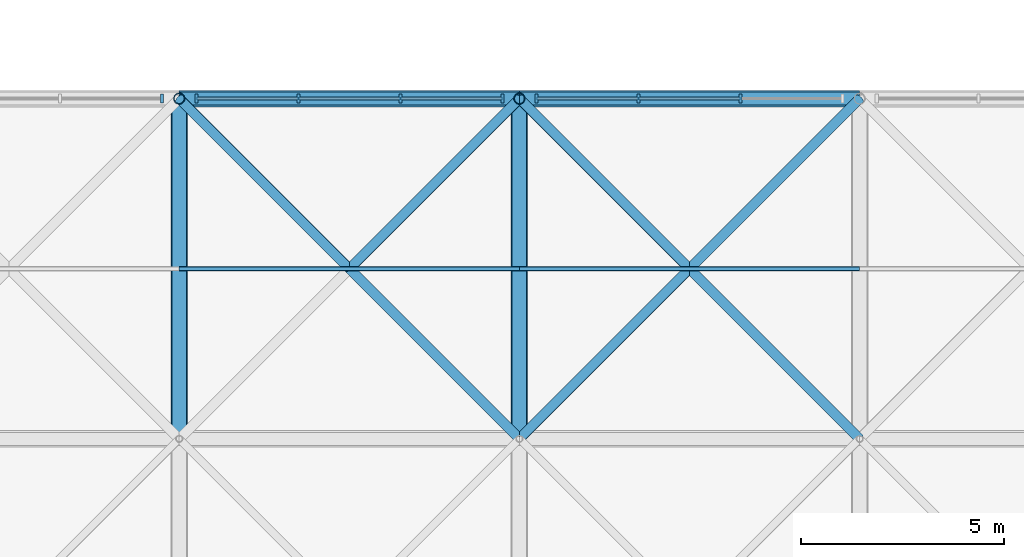
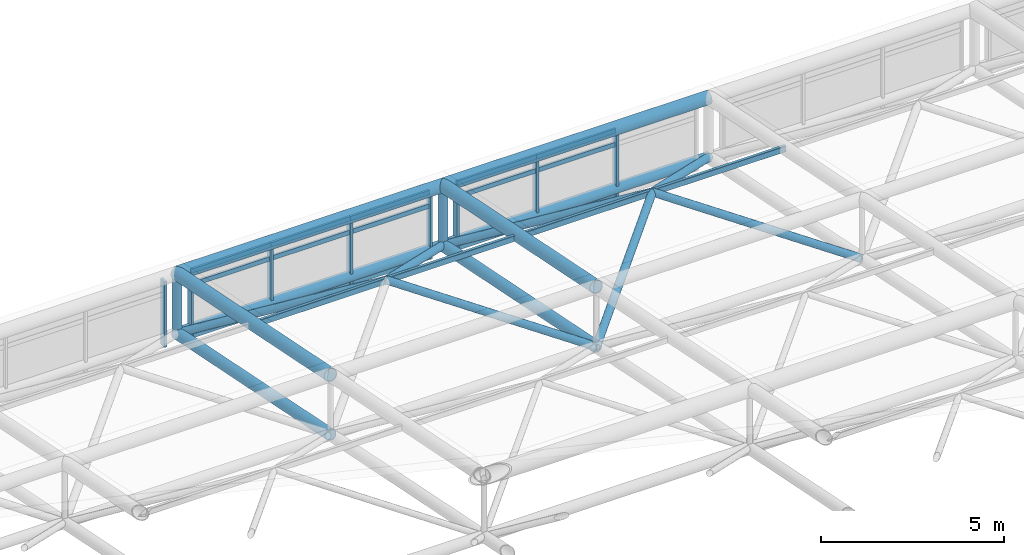
# One storey, part 57 of 110: 42 members, 3 elements without a shape of their own.
"""IFC4 building model written with IfcOpenShell, lengths in metres."""

from ifc_helpers import new_model, si_unit, direction, frame, origin, origin_2d, place, context, subcontext, project, spatial, rectangle, hollow_rectangle, hollow_circle, extrude, material, layer, layer_set, material_profile, profile_set, type_object, element, aggregate, save


model = new_model("IFC4")

# Units and contexts
model_context = context("Model", 3, precision=1e-05, world=origin(), true_north=direction((0.0, 1.0)))
body_context = subcontext(model_context, "Body", "Model", "MODEL_VIEW")
ifc_project = project(units=[si_unit("LENGTHUNIT", "METRE"), si_unit("AREAUNIT", "SQUARE_METRE"), si_unit("VOLUMEUNIT", "CUBIC_METRE"), si_unit("PLANEANGLEUNIT", "RADIAN"), si_unit("MASSUNIT", "GRAM", prefix="KILO")], contexts=[model_context])

# Site, building, storey
site_placement = place(None, origin())
site = spatial("IfcSite", under=ifc_project, at=site_placement, CompositionType="ELEMENT")
building_placement = place(site_placement, origin())
building = spatial("IfcBuilding", under=site, at=building_placement, Name="Qawsi Khor Wholesale Market", CompositionType="ELEMENT")
storey_placement = place(building_placement, frame((0.0, 0.0, 11.39990234375)))
storey = spatial("IfcBuildingStorey", under=building, at=storey_placement, Name="L02", CompositionType="ELEMENT", Elevation=11.39990234375)

# Curtain wall, member
ifc_material_1 = material(Name="Aluminium Anodised Bronze", Category="aluminium")
ifc_layer = layer(ifc_material_1, 0.199951171875, Name="Aluminium Anodised Bronze")
ifc_layer_set = layer_set([ifc_layer], Name="Aluminium Anodised Bronze")
curtain_wall_type = type_object("IfcCurtainWallType", Name="Trading Hall North-Light Curtain Wall CW-03", PredefinedType="NOTDEFINED", material=ifc_layer_set)
curtain_wall_1_placement = place(storey_placement, origin())
curtain_wall_1 = element("IfcCurtainWall", 1, at=curtain_wall_1_placement, inside=storey, type_object=curtain_wall_type, Name="Curtain wall CW-CW-03-L02-148", PredefinedType="NOTDEFINED")
ifc_material_profile_1 = material_profile(ifc_material_1, rectangle(XDim=0.074951171875, YDim=0.219970703125, at=origin_2d()), Name="ALU MULLION 75x220")
ifc_profile_set_1 = profile_set([ifc_material_profile_1], Name="Aluminium Anodised Bronze")
member_type_1 = type_object("IfcMemberType", Name="Curtain Wall Mullion CW-03 ALU MULLION 75x220", PredefinedType="MULLION", material=ifc_profile_set_1)
member_1_placement = place(storey_placement, frame((175.9775390625, 109.199951171875, -0.289794921875), z_axis=(0.0, 0.0, 1.0), x_axis=(1.0, 0.0, 0.0)))
member_1 = element("IfcMember", 2, at=member_1_placement, type_object=member_type_1, Name="Mullion CW-CW-03-L02-148-M03", PredefinedType="MULLION", context=body_context, shape_type="SweptSolid", body=[
    extrude(rectangle(XDim=0.074951171875, YDim=0.219970703125, at=origin_2d()), origin(), (0.0, 0.0, 1.0), 2.18994140625),
])
aggregate(curtain_wall_1, [member_1])

# Curtain wall, members
curtain_wall_2_placement = place(storey_placement, origin())
curtain_wall_2 = element("IfcCurtainWall", 3, at=curtain_wall_2_placement, inside=storey, type_object=curtain_wall_type, Name="Curtain wall CW-CW-03-L02-149", PredefinedType="NOTDEFINED")
member_2_placement = place(storey_placement, frame((176.822509765625, 109.199951171875, -0.289794921875), z_axis=(0.0, 0.0, 1.0), x_axis=(1.0, 0.0, 0.0)))
member_2 = element("IfcMember", 4, at=member_2_placement, type_object=member_type_1, Name="Mullion CW-CW-03-L02-149-M00", PredefinedType="MULLION", context=body_context, shape_type="SweptSolid", body=[
    extrude(rectangle(XDim=0.074951171875, YDim=0.219970703125, at=origin_2d()), origin(), (0.0, 0.0, 1.0), 2.18994140625),
])
member_3_placement = place(storey_placement, frame((179.3408203125, 109.199951171875, -0.289794921875), z_axis=(0.0, 0.0, 1.0), x_axis=(1.0, 0.0, 0.0)))
member_3 = element("IfcMember", 5, at=member_3_placement, type_object=member_type_1, Name="Mullion CW-CW-03-L02-149-M01", PredefinedType="MULLION", context=body_context, shape_type="SweptSolid", body=[
    extrude(rectangle(XDim=0.074951171875, YDim=0.219970703125, at=origin_2d()), origin(), (0.0, 0.0, 1.0), 2.18994140625),
])
member_4_placement = place(storey_placement, frame((181.859130859375, 109.199951171875, -0.289794921875), z_axis=(0.0, 0.0, 1.0), x_axis=(1.0, 0.0, 0.0)))
member_4 = element("IfcMember", 6, at=member_4_placement, type_object=member_type_1, Name="Mullion CW-CW-03-L02-149-M02", PredefinedType="MULLION", context=body_context, shape_type="SweptSolid", body=[
    extrude(rectangle(XDim=0.074951171875, YDim=0.219970703125, at=origin_2d()), origin(), (0.0, 0.0, 1.0), 2.18994140625),
])
member_5_placement = place(storey_placement, frame((184.37744140625, 109.199951171875, -0.289794921875), z_axis=(0.0, 0.0, 1.0), x_axis=(1.0, 0.0, 0.0)))
member_5 = element("IfcMember", 7, at=member_5_placement, type_object=member_type_1, Name="Mullion CW-CW-03-L02-149-M03", PredefinedType="MULLION", context=body_context, shape_type="SweptSolid", body=[
    extrude(rectangle(XDim=0.074951171875, YDim=0.219970703125, at=origin_2d()), origin(), (0.0, 0.0, 1.0), 2.18994140625),
])

curtain_wall_3_placement = place(storey_placement, origin())
curtain_wall_3 = element("IfcCurtainWall", 8, at=curtain_wall_3_placement, inside=storey, type_object=curtain_wall_type, Name="Curtain wall CW-CW-03-L02-150", PredefinedType="NOTDEFINED")
member_6_placement = place(storey_placement, frame((185.222412109375, 109.199951171875, -0.289794921875), z_axis=(0.0, 0.0, 1.0), x_axis=(1.0, 0.0, 0.0)))
member_6 = element("IfcMember", 9, at=member_6_placement, type_object=member_type_1, Name="Mullion CW-CW-03-L02-150-M00", PredefinedType="MULLION", context=body_context, shape_type="SweptSolid", body=[
    extrude(rectangle(XDim=0.074951171875, YDim=0.219970703125, at=origin_2d()), origin(), (0.0, 0.0, 1.0), 2.18994140625),
])
member_7_placement = place(storey_placement, frame((187.74072265625, 109.199951171875, -0.289794921875), z_axis=(0.0, 0.0, 1.0), x_axis=(1.0, 0.0, 0.0)))
member_7 = element("IfcMember", 10, at=member_7_placement, type_object=member_type_1, Name="Mullion CW-CW-03-L02-150-M01", PredefinedType="MULLION", context=body_context, shape_type="SweptSolid", body=[
    extrude(rectangle(XDim=0.074951171875, YDim=0.219970703125, at=origin_2d()), origin(), (0.0, 0.0, 1.0), 2.18994140625),
])
member_8_placement = place(storey_placement, frame((190.25927734375, 109.199951171875, -0.289794921875), z_axis=(0.0, 0.0, 1.0), x_axis=(1.0, 0.0, 0.0)))
member_8 = element("IfcMember", 11, at=member_8_placement, type_object=member_type_1, Name="Mullion CW-CW-03-L02-150-M02", PredefinedType="MULLION", context=body_context, shape_type="SweptSolid", body=[
    extrude(rectangle(XDim=0.074951171875, YDim=0.219970703125, at=origin_2d()), origin(), (0.0, 0.0, 1.0), 2.18994140625),
])

# Member
ifc_material_profile_2 = material_profile(ifc_material_1, rectangle(XDim=0.070068359375, YDim=0.14990234375, at=origin_2d()), Name="ALU TRANSOM 70x150")
ifc_profile_set_2 = profile_set([ifc_material_profile_2], Name="Aluminium Anodised Bronze")
member_type_2 = type_object("IfcMemberType", Name="Curtain Wall Transom CW-03 ALU TRANSOM 70x150", PredefinedType="USERDEFINED", material=ifc_profile_set_2)
member_9_placement = place(storey_placement, frame((176.822509765625, 109.199951171875, -0.27001953125), z_axis=(1.0, 0.0, 0.0), x_axis=(0.0, 1.0, 0.0)))
member_9 = element("IfcMember", 12, at=member_9_placement, type_object=member_type_2, Name="Transom CW-CW-03-L02-149-T0_00", ObjectType="TRANSOM", PredefinedType="USERDEFINED", context=body_context, shape_type="SweptSolid", body=[
    extrude(rectangle(XDim=0.070068359375, YDim=0.14990234375, at=origin_2d()), origin(), (0.0, 0.0, 1.0), 2.518310546875),
])

member_10_placement = place(storey_placement, frame((179.3408203125, 109.199951171875, -0.27001953125), z_axis=(1.0, 0.0, 0.0), x_axis=(0.0, 1.0, 0.0)))
member_10 = element("IfcMember", 13, at=member_10_placement, type_object=member_type_2, Name="Transom CW-CW-03-L02-149-T0_01", ObjectType="TRANSOM", PredefinedType="USERDEFINED", context=body_context, shape_type="SweptSolid", body=[
    extrude(rectangle(XDim=0.070068359375, YDim=0.14990234375, at=origin_2d()), origin(), (0.0, 0.0, 1.0), 2.518310546875),
])

member_11_placement = place(storey_placement, frame((181.859130859375, 109.199951171875, -0.27001953125), z_axis=(1.0, 0.0, 0.0), x_axis=(0.0, 1.0, 0.0)))
member_11 = element("IfcMember", 14, at=member_11_placement, type_object=member_type_2, Name="Transom CW-CW-03-L02-149-T0_02", ObjectType="TRANSOM", PredefinedType="USERDEFINED", context=body_context, shape_type="SweptSolid", body=[
    extrude(rectangle(XDim=0.070068359375, YDim=0.14990234375, at=origin_2d()), origin(), (0.0, 0.0, 1.0), 2.518310546875),
])

member_12_placement = place(storey_placement, frame((176.822509765625, 109.199951171875, 1.4501953125), z_axis=(1.0, 0.0, 0.0), x_axis=(0.0, 1.0, 0.0)))
member_12 = element("IfcMember", 15, at=member_12_placement, type_object=member_type_2, Name="Transom CW-CW-03-L02-149-T1_00", ObjectType="TRANSOM", PredefinedType="USERDEFINED", context=body_context, shape_type="SweptSolid", body=[
    extrude(rectangle(XDim=0.070068359375, YDim=0.14990234375, at=origin_2d()), origin(), (0.0, 0.0, 1.0), 2.518310546875),
])

member_13_placement = place(storey_placement, frame((179.3408203125, 109.199951171875, 1.4501953125), z_axis=(1.0, 0.0, 0.0), x_axis=(0.0, 1.0, 0.0)))
member_13 = element("IfcMember", 16, at=member_13_placement, type_object=member_type_2, Name="Transom CW-CW-03-L02-149-T1_01", ObjectType="TRANSOM", PredefinedType="USERDEFINED", context=body_context, shape_type="SweptSolid", body=[
    extrude(rectangle(XDim=0.070068359375, YDim=0.14990234375, at=origin_2d()), origin(), (0.0, 0.0, 1.0), 2.518310546875),
])

member_14_placement = place(storey_placement, frame((181.859130859375, 109.199951171875, 1.4501953125), z_axis=(1.0, 0.0, 0.0), x_axis=(0.0, 1.0, 0.0)))
member_14 = element("IfcMember", 17, at=member_14_placement, type_object=member_type_2, Name="Transom CW-CW-03-L02-149-T1_02", ObjectType="TRANSOM", PredefinedType="USERDEFINED", context=body_context, shape_type="SweptSolid", body=[
    extrude(rectangle(XDim=0.070068359375, YDim=0.14990234375, at=origin_2d()), origin(), (0.0, 0.0, 1.0), 2.518310546875),
])

member_15_placement = place(storey_placement, frame((176.822509765625, 109.199951171875, 1.900146484375), z_axis=(1.0, 0.0, 0.0), x_axis=(0.0, 1.0, 0.0)))
member_15 = element("IfcMember", 18, at=member_15_placement, type_object=member_type_2, Name="Transom CW-CW-03-L02-149-T2_00", ObjectType="TRANSOM", PredefinedType="USERDEFINED", context=body_context, shape_type="SweptSolid", body=[
    extrude(rectangle(XDim=0.070068359375, YDim=0.14990234375, at=origin_2d()), origin(), (0.0, 0.0, 1.0), 2.518310546875),
])

member_16_placement = place(storey_placement, frame((179.3408203125, 109.199951171875, 1.900146484375), z_axis=(1.0, 0.0, 0.0), x_axis=(0.0, 1.0, 0.0)))
member_16 = element("IfcMember", 19, at=member_16_placement, type_object=member_type_2, Name="Transom CW-CW-03-L02-149-T2_01", ObjectType="TRANSOM", PredefinedType="USERDEFINED", context=body_context, shape_type="SweptSolid", body=[
    extrude(rectangle(XDim=0.070068359375, YDim=0.14990234375, at=origin_2d()), origin(), (0.0, 0.0, 1.0), 2.518310546875),
])

member_17_placement = place(storey_placement, frame((181.859130859375, 109.199951171875, 1.900146484375), z_axis=(1.0, 0.0, 0.0), x_axis=(0.0, 1.0, 0.0)))
member_17 = element("IfcMember", 20, at=member_17_placement, type_object=member_type_2, Name="Transom CW-CW-03-L02-149-T2_02", ObjectType="TRANSOM", PredefinedType="USERDEFINED", context=body_context, shape_type="SweptSolid", body=[
    extrude(rectangle(XDim=0.070068359375, YDim=0.14990234375, at=origin_2d()), origin(), (0.0, 0.0, 1.0), 2.518310546875),
])

aggregate(curtain_wall_2, [member_2, member_3, member_4, member_5, member_9, member_10, member_11, member_12, member_13, member_14, member_15, member_16, member_17])

member_18_placement = place(storey_placement, frame((185.222412109375, 109.199951171875, -0.27001953125), z_axis=(1.0, 0.0, 0.0), x_axis=(0.0, 1.0, 0.0)))
member_18 = element("IfcMember", 21, at=member_18_placement, type_object=member_type_2, Name="Transom CW-CW-03-L02-150-T0_00", ObjectType="TRANSOM", PredefinedType="USERDEFINED", context=body_context, shape_type="SweptSolid", body=[
    extrude(rectangle(XDim=0.070068359375, YDim=0.14990234375, at=origin_2d()), origin(), (0.0, 0.0, 1.0), 2.518310546875),
])

member_19_placement = place(storey_placement, frame((187.74072265625, 109.199951171875, -0.27001953125), z_axis=(1.0, 0.0, 0.0), x_axis=(0.0, 1.0, 0.0)))
member_19 = element("IfcMember", 22, at=member_19_placement, type_object=member_type_2, Name="Transom CW-CW-03-L02-150-T0_01", ObjectType="TRANSOM", PredefinedType="USERDEFINED", context=body_context, shape_type="SweptSolid", body=[
    extrude(rectangle(XDim=0.070068359375, YDim=0.14990234375, at=origin_2d()), origin(), (0.0, 0.0, 1.0), 2.5185546875),
])

member_20_placement = place(storey_placement, frame((185.222412109375, 109.199951171875, 1.4501953125), z_axis=(1.0, 0.0, 0.0), x_axis=(0.0, 1.0, 0.0)))
member_20 = element("IfcMember", 23, at=member_20_placement, type_object=member_type_2, Name="Transom CW-CW-03-L02-150-T1_00", ObjectType="TRANSOM", PredefinedType="USERDEFINED", context=body_context, shape_type="SweptSolid", body=[
    extrude(rectangle(XDim=0.070068359375, YDim=0.14990234375, at=origin_2d()), origin(), (0.0, 0.0, 1.0), 2.518310546875),
])

member_21_placement = place(storey_placement, frame((187.74072265625, 109.199951171875, 1.4501953125), z_axis=(1.0, 0.0, 0.0), x_axis=(0.0, 1.0, 0.0)))
member_21 = element("IfcMember", 24, at=member_21_placement, type_object=member_type_2, Name="Transom CW-CW-03-L02-150-T1_01", ObjectType="TRANSOM", PredefinedType="USERDEFINED", context=body_context, shape_type="SweptSolid", body=[
    extrude(rectangle(XDim=0.070068359375, YDim=0.14990234375, at=origin_2d()), origin(), (0.0, 0.0, 1.0), 2.5185546875),
])

member_22_placement = place(storey_placement, frame((185.222412109375, 109.199951171875, 1.900146484375), z_axis=(1.0, 0.0, 0.0), x_axis=(0.0, 1.0, 0.0)))
member_22 = element("IfcMember", 25, at=member_22_placement, type_object=member_type_2, Name="Transom CW-CW-03-L02-150-T2_00", ObjectType="TRANSOM", PredefinedType="USERDEFINED", context=body_context, shape_type="SweptSolid", body=[
    extrude(rectangle(XDim=0.070068359375, YDim=0.14990234375, at=origin_2d()), origin(), (0.0, 0.0, 1.0), 2.518310546875),
])

member_23_placement = place(storey_placement, frame((187.74072265625, 109.199951171875, 1.900146484375), z_axis=(1.0, 0.0, 0.0), x_axis=(0.0, 1.0, 0.0)))
member_23 = element("IfcMember", 26, at=member_23_placement, type_object=member_type_2, Name="Transom CW-CW-03-L02-150-T2_01", ObjectType="TRANSOM", PredefinedType="USERDEFINED", context=body_context, shape_type="SweptSolid", body=[
    extrude(rectangle(XDim=0.070068359375, YDim=0.14990234375, at=origin_2d()), origin(), (0.0, 0.0, 1.0), 2.5185546875),
])

aggregate(curtain_wall_3, [member_6, member_7, member_8, member_18, member_19, member_20, member_21, member_22, member_23])

# Members
ifc_material_2 = material(Name="Steel S355", Category="steel")
ifc_material_profile_3 = material_profile(ifc_material_2, hollow_circle(Radius=0.177734375, WallThickness=0.01611328125, at=origin_2d()), Name="CHS 355.6x16.0")
ifc_profile_set_3 = profile_set([ifc_material_profile_3], Name="Steel S355")
member_type_3 = type_object("IfcMemberType", Name="Space-Frame Bottom Chord CHS 355.6x16.0", PredefinedType="CHORD", material=ifc_profile_set_3)
for number, where, z_axis, x_axis, name in (
    (27, (176.39990234375, 100.800048828125, 1.670166015625), (0.0, 0.980129990483, -0.1983562496), (-1.0, 0.0, 0.0), "Space frame bottom chord Y EH (21,12)"),
    (28, (184.800048828125, 100.800048828125, 1.670166015625), (0.0, 0.980129990483, -0.1983562496), (-1.0, 0.0, 0.0), "Space frame bottom chord Y EH (22,12)"),
):
    element("IfcMember", number, at=place(storey_placement, frame(where, z_axis=z_axis, x_axis=x_axis)), inside=storey, type_object=member_type_3, Name=name, PredefinedType="CHORD", context=body_context, shape_type="SweptSolid", body=[
        extrude(hollow_circle(Radius=0.177734375, WallThickness=0.01611328125, at=origin_2d()), origin(), (0.0, 0.0, 1.0), 8.5703125),
    ])
ifc_material_profile_4 = material_profile(ifc_material_2, hollow_circle(Radius=0.136474609375, WallThickness=0.012451171875, at=origin_2d()), Name="CHS 273.0x12.5")
ifc_profile_set_4 = profile_set([ifc_material_profile_4], Name="Steel S355")
member_type_4 = type_object("IfcMemberType", Name="Space-Frame Edge Post CHS 273.0x12.5", PredefinedType="POST", material=ifc_profile_set_4)
for number, where, z_axis, x_axis, name in (
    (29, (176.39990234375, 109.199951171875, -0.02978515625), (0.0, 0.0, 1.0), (1.0, 0.0, 0.0), "Space frame post EH (21,13)"),
    (30, (184.800048828125, 109.199951171875, -0.02978515625), (0.0, 0.0, 1.0), (1.0, 0.0, 0.0), "Space frame post EH (22,13)"),
):
    element("IfcMember", number, at=place(storey_placement, frame(where, z_axis=z_axis, x_axis=x_axis)), inside=storey, type_object=member_type_4, Name=name, PredefinedType="POST", context=body_context, shape_type="SweptSolid", body=[
        extrude(hollow_circle(Radius=0.136474609375, WallThickness=0.012451171875, at=origin_2d()), origin(), (0.0, 0.0, 1.0), 2.0),
    ])
ifc_material_profile_5 = material_profile(ifc_material_2, hollow_circle(Radius=0.122314453125, WallThickness=0.012451171875, at=origin_2d()), Name="CHS 244.5x12.5")
ifc_profile_set_5 = profile_set([ifc_material_profile_5], Name="Steel S355")
member_type_5 = type_object("IfcMemberType", Name="Space-Frame Heavy Diagonal CHS 244.5x12.5", PredefinedType="POST", material=ifc_profile_set_5)
member_24_placement = place(storey_placement, frame((184.800048828125, 100.800048828125, 1.670166015625), z_axis=(-0.694216714393, 0.694216714393, 0.190069216113), x_axis=(-0.707106781187, -0.707106781187, 0.0)))
element("IfcMember", 31, at=member_24_placement, inside=storey, type_object=member_type_5, Name="Space frame diagonal EH (21,12)-2", PredefinedType="POST", context=body_context, shape_type="SweptSolid", body=[
    extrude(hollow_circle(Radius=0.122314453125, WallThickness=0.012451171875, at=origin_2d()), origin(), (0.0, 0.0, 1.0), 6.0498046875),
])
member_25_placement = place(storey_placement, frame((184.800048828125, 109.199951171875, -0.02978515625), z_axis=(-0.637521961484, -0.637521961484, 0.432586982294), x_axis=(0.707106781187, -0.707106781187, 0.0)))
element("IfcMember", 32, at=member_25_placement, inside=storey, type_object=member_type_5, Name="Space frame diagonal EH (21,12)-3", PredefinedType="POST", context=body_context, shape_type="SweptSolid", body=[
    extrude(hollow_circle(Radius=0.122314453125, WallThickness=0.012451171875, at=origin_2d()), origin(), (0.0, 0.0, 1.0), 6.587890625),
])
member_26_placement = place(storey_placement, frame((176.39990234375, 109.199951171875, -0.02978515625), z_axis=(0.637543957519, -0.637506899628, 0.432576762155), x_axis=(0.70708622964, 0.707127332136, 0.0)))
element("IfcMember", 33, at=member_26_placement, inside=storey, type_object=member_type_5, Name="Space frame diagonal EH (21,12)-4", PredefinedType="POST", context=body_context, shape_type="SweptSolid", body=[
    extrude(hollow_circle(Radius=0.122314453125, WallThickness=0.012451171875, at=origin_2d()), origin(), (0.0, 0.0, 1.0), 6.588134765625),
])
for number, where, z_axis, x_axis, name in (
    (34, (184.800048828125, 100.800048828125, 1.670166015625), (0.694216714393, 0.694216714393, 0.190069216113), (-0.707106781187, 0.707106781187, 0.0), "Space frame diagonal EH (22,12)-1"),
    (35, (193.199951171875, 100.800048828125, 1.670166015625), (-0.694216714393, 0.694216714393, 0.190069216113), (-0.707106781187, -0.707106781187, 0.0), "Space frame diagonal EH (22,12)-2"),
):
    element("IfcMember", number, at=place(storey_placement, frame(where, z_axis=z_axis, x_axis=x_axis)), inside=storey, type_object=member_type_5, Name=name, PredefinedType="POST", context=body_context, shape_type="SweptSolid", body=[
        extrude(hollow_circle(Radius=0.122314453125, WallThickness=0.012451171875, at=origin_2d()), origin(), (0.0, 0.0, 1.0), 6.0498046875),
    ])
for number, where, z_axis, x_axis, name in (
    (36, (193.199951171875, 109.199951171875, -0.02978515625), (-0.637521961484, -0.637521961484, 0.432586982294), (0.707106781187, -0.707106781187, 0.0), "Space frame diagonal EH (22,12)-3"),
    (37, (184.800048828125, 109.199951171875, -0.02978515625), (0.637521961484, -0.637521961484, 0.432586982294), (0.707106781187, 0.707106781187, 0.0), "Space frame diagonal EH (22,12)-4"),
):
    element("IfcMember", number, at=place(storey_placement, frame(where, z_axis=z_axis, x_axis=x_axis)), inside=storey, type_object=member_type_5, Name=name, PredefinedType="POST", context=body_context, shape_type="SweptSolid", body=[
        extrude(hollow_circle(Radius=0.122314453125, WallThickness=0.012451171875, at=origin_2d()), origin(), (0.0, 0.0, 1.0), 6.587890625),
    ])
ifc_material_profile_6 = material_profile(ifc_material_2, hollow_rectangle(XDim=0.10009765625, YDim=0.199951171875, WallThickness=0.008056640625, InnerFilletRadius=0.008056640625, OuterFilletRadius=0.01611328125, at=origin_2d()), Name="RHS 200x100x8.0")
ifc_profile_set_6 = profile_set([ifc_material_profile_6], Name="Steel S355")
member_type_6 = type_object("IfcMemberType", Name="Space-Frame Purlin RHS 200x100x8.0", PredefinedType="PURLIN", material=ifc_profile_set_6)
member_27_placement = place(storey_placement, frame((176.39990234375, 105.0, 2.820068359375), z_axis=(1.0, 0.0, 0.0), x_axis=(0.0, 1.0, 0.0)))
element("IfcMember", 38, at=member_27_placement, inside=storey, type_object=member_type_6, Name="Space frame purlin EH (21,12)", PredefinedType="PURLIN", context=body_context, shape_type="SweptSolid", body=[
    extrude(hollow_rectangle(XDim=0.10009765625, YDim=0.199951171875, WallThickness=0.008056640625, InnerFilletRadius=0.008056640625, OuterFilletRadius=0.01611328125, at=origin_2d()), origin(), (0.0, 0.0, 1.0), 8.400146484375),
])
member_28_placement = place(storey_placement, frame((184.800048828125, 105.0, 2.820068359375), z_axis=(1.0, 0.0, 0.0), x_axis=(0.0, 1.0, 0.0)))
element("IfcMember", 39, at=member_28_placement, inside=storey, type_object=member_type_6, Name="Space frame purlin EH (22,12)", PredefinedType="PURLIN", context=body_context, shape_type="SweptSolid", body=[
    extrude(hollow_rectangle(XDim=0.10009765625, YDim=0.199951171875, WallThickness=0.008056640625, InnerFilletRadius=0.008056640625, OuterFilletRadius=0.01611328125, at=origin_2d()), origin(), (0.0, 0.0, 1.0), 8.39990234375),
])
ifc_material_profile_7 = material_profile(ifc_material_2, hollow_circle(Radius=0.161865234375, WallThickness=0.01611328125, at=origin_2d()), Name="CHS 323.9x16.0")
ifc_profile_set_7 = profile_set([ifc_material_profile_7], Name="Steel S355")
member_type_7 = type_object("IfcMemberType", Name="Space-Frame Secondary Chord CHS 323.9x16.0", PredefinedType="CHORD", material=ifc_profile_set_7)
member_29_placement = place(storey_placement, frame((176.39990234375, 109.199951171875, -0.02978515625), z_axis=(1.0, 0.0, 0.0), x_axis=(0.0, 1.0, 0.0)))
element("IfcMember", 40, at=member_29_placement, inside=storey, type_object=member_type_7, Name="Space frame bottom chord X EH (21,13)", PredefinedType="CHORD", context=body_context, shape_type="SweptSolid", body=[
    extrude(hollow_circle(Radius=0.161865234375, WallThickness=0.01611328125, at=origin_2d()), origin(), (0.0, 0.0, 1.0), 8.400146484375),
])
member_30_placement = place(storey_placement, frame((184.800048828125, 109.199951171875, -0.02978515625), z_axis=(1.0, 0.0, 0.0), x_axis=(0.0, 1.0, 0.0)))
element("IfcMember", 41, at=member_30_placement, inside=storey, type_object=member_type_7, Name="Space frame bottom chord X EH (22,13)", PredefinedType="CHORD", context=body_context, shape_type="SweptSolid", body=[
    extrude(hollow_circle(Radius=0.161865234375, WallThickness=0.01611328125, at=origin_2d()), origin(), (0.0, 0.0, 1.0), 8.39990234375),
])
ifc_material_profile_8 = material_profile(ifc_material_2, hollow_circle(Radius=0.203125, WallThickness=0.02001953125, at=origin_2d()), Name="CHS 406.4x20.0")
ifc_profile_set_8 = profile_set([ifc_material_profile_8], Name="Steel S355")
member_type_8 = type_object("IfcMemberType", Name="Space-Frame Top Chord CHS 406.4x20.0", PredefinedType="CHORD", material=ifc_profile_set_8)
member_31_placement = place(storey_placement, frame((176.39990234375, 100.800048828125, 3.670166015625), z_axis=(0.0, 0.980129990483, -0.1983562496), x_axis=(-1.0, 0.0, 0.0)))
element("IfcMember", 42, at=member_31_placement, inside=storey, type_object=member_type_8, Name="Space frame top chord Y EH (21,12)", PredefinedType="CHORD", context=body_context, shape_type="SweptSolid", body=[
    extrude(hollow_circle(Radius=0.203125, WallThickness=0.02001953125, at=origin_2d()), origin(), (0.0, 0.0, 1.0), 8.5703125),
])
member_32_placement = place(storey_placement, frame((176.39990234375, 109.199951171875, 1.97021484375), z_axis=(1.0, 0.0, 0.0), x_axis=(0.0, 1.0, 0.0)))
element("IfcMember", 43, at=member_32_placement, inside=storey, type_object=member_type_8, Name="Space frame top chord X EH (21,13)", PredefinedType="CHORD", context=body_context, shape_type="SweptSolid", body=[
    extrude(hollow_circle(Radius=0.203125, WallThickness=0.02001953125, at=origin_2d()), origin(), (0.0, 0.0, 1.0), 8.400146484375),
])
member_33_placement = place(storey_placement, frame((184.800048828125, 100.800048828125, 3.670166015625), z_axis=(0.0, 0.980129990483, -0.1983562496), x_axis=(-1.0, 0.0, 0.0)))
element("IfcMember", 44, at=member_33_placement, inside=storey, type_object=member_type_8, Name="Space frame top chord Y EH (22,12)", PredefinedType="CHORD", context=body_context, shape_type="SweptSolid", body=[
    extrude(hollow_circle(Radius=0.203125, WallThickness=0.02001953125, at=origin_2d()), origin(), (0.0, 0.0, 1.0), 8.5703125),
])
member_34_placement = place(storey_placement, frame((184.800048828125, 109.199951171875, 1.97021484375), z_axis=(1.0, 0.0, 0.0), x_axis=(0.0, 1.0, 0.0)))
element("IfcMember", 45, at=member_34_placement, inside=storey, type_object=member_type_8, Name="Space frame top chord X EH (22,13)", PredefinedType="CHORD", context=body_context, shape_type="SweptSolid", body=[
    extrude(hollow_circle(Radius=0.203125, WallThickness=0.02001953125, at=origin_2d()), origin(), (0.0, 0.0, 1.0), 8.39990234375),
])

save(model, "model.ifc")
